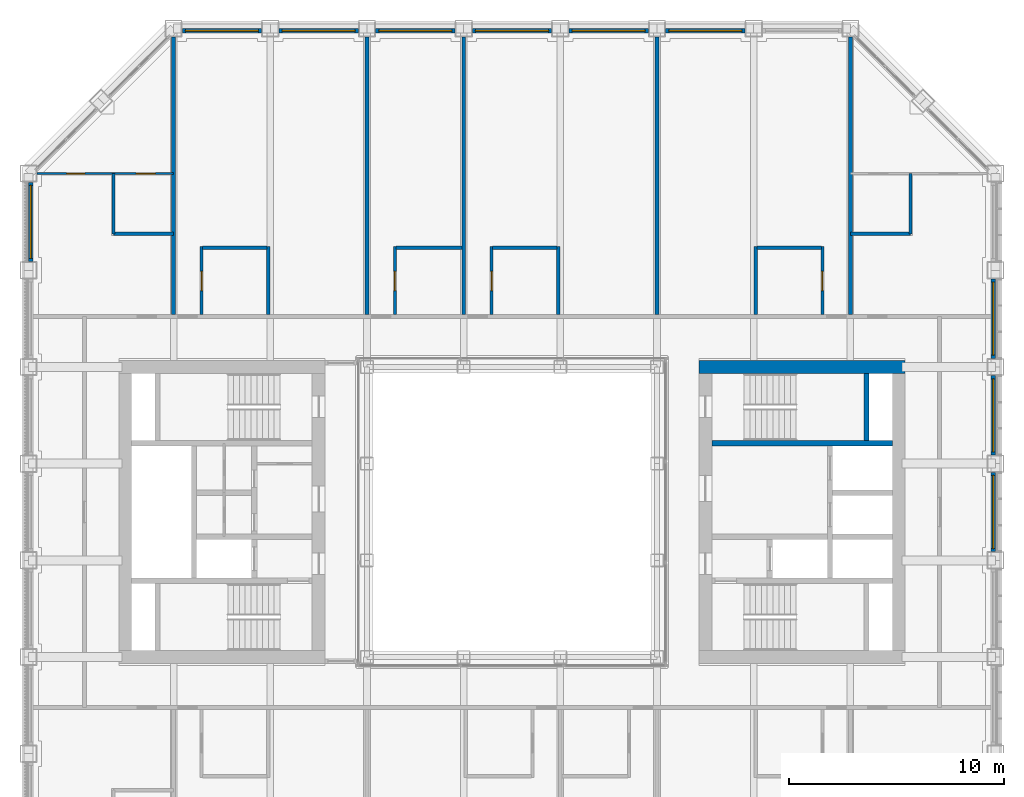
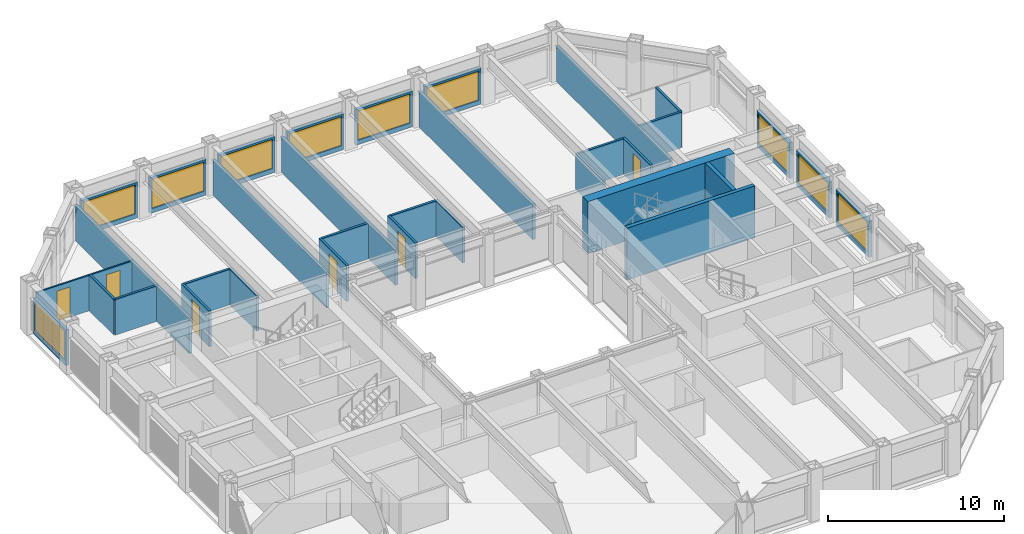
# One storey, part 13 of 17: 34 walls, 10 windows, 6 doors, 16 openings.
"""IFC4 building model written with IfcOpenShell, lengths in metres."""

from ifc_helpers import new_model, si_unit, direction, frame, frame_2d, origin, place, context, subcontext, project, spatial, rectangle, extrude, material, layer, layer_set, type_object, element, fill, save


model = new_model("IFC4")

# Units and contexts
model_context = context("Model", 3, precision=1e-05, world=origin(), true_north=direction((0.0, 1.0)))
body_context = subcontext(model_context, "Body", "Model", "MODEL_VIEW")
ifc_project = project(units=[si_unit("LENGTHUNIT", "METRE"), si_unit("AREAUNIT", "SQUARE_METRE"), si_unit("VOLUMEUNIT", "CUBIC_METRE"), si_unit("PLANEANGLEUNIT", "RADIAN"), si_unit("MASSUNIT", "GRAM", prefix="KILO")], contexts=[model_context])

# Site, building, storey
site_placement = place(None, origin())
site = spatial("IfcSite", under=ifc_project, at=site_placement, CompositionType="ELEMENT")
building_placement = place(site_placement, origin())
building = spatial("IfcBuilding", under=site, at=building_placement, Name="Msasa Ring Tower", CompositionType="ELEMENT")
storey_placement = place(building_placement, frame((0.0, 0.0, 165.199951171875)))
storey = spatial("IfcBuildingStorey", under=building, at=storey_placement, Name="L43", CompositionType="ELEMENT", Elevation=165.199951171875)

# Walls
ifc_material_1 = material(Name="Concrete C60/75", Category="concrete")
ifc_layer_1 = layer(ifc_material_1, 0.60009765625)
ifc_layer_set_1 = layer_set([ifc_layer_1], Name="CW2 CORE WALL 600")
wall_type_1 = type_object("IfcWallType", Name="CW2 CORE WALL 600", PredefinedType="SHEAR", material=ifc_layer_set_1)
wall_1_placement = place(storey_placement, frame((8.699951171875, 6.75, 0.0), z_axis=(0.0, 0.0, 1.0), x_axis=(1.0, 0.0, 0.0)))
element("IfcWall", 1, at=wall_1_placement, inside=storey, type_object=wall_type_1, Name="E core wall N L43", PredefinedType="SHEAR", context=body_context, shape_type="SweptSolid", body=[
    extrude(rectangle(XDim=9.60009765625, YDim=0.60009765625, at=frame_2d((4.800048828125, 0.0))), origin(), (0.0, 0.0, 1.0), 3.60009765625),
])
ifc_material_2 = material(Name="Concrete C60/75", Category="concrete")
ifc_layer_2 = layer(ifc_material_2, 0.25)
ifc_layer_set_2 = layer_set([ifc_layer_2], Name="CW4 CORE INNER WALL 250")
wall_type_2 = type_object("IfcWallType", Name="CW4 CORE INNER WALL 250", PredefinedType="SHEAR", material=ifc_layer_set_2)
wall_2_placement = place(storey_placement, frame((9.300048828125, 3.199951171875, 0.0), z_axis=(0.0, 0.0, 1.0), x_axis=(1.0, 0.0, 0.0)))
element("IfcWall", 2, at=wall_2_placement, inside=storey, type_object=wall_type_2, Name="E core wall STAIRB L43", PredefinedType="SHEAR", context=body_context, shape_type="SweptSolid", body=[
    extrude(rectangle(XDim=8.39990234375, YDim=0.25, at=frame_2d((4.199951171875, 0.0))), origin(), (0.0, 0.0, 1.0), 3.60009765625),
])
wall_3_placement = place(storey_placement, frame((16.5, 3.324951171875, 0.0), z_axis=(0.0, 0.0, 1.0), x_axis=(0.0, 1.0, 0.0)))
element("IfcWall", 3, at=wall_3_placement, inside=storey, type_object=wall_type_2, Name="E core wall RISERB L43", PredefinedType="SHEAR", context=body_context, shape_type="SweptSolid", body=[
    extrude(rectangle(XDim=3.125, YDim=0.25, at=frame_2d((1.5625, 0.0))), origin(), (0.0, 0.0, 1.0), 3.60009765625),
])

# Wall, opening, window
ifc_material_3 = material(Name="Terracotta rainscreen on blockwork", Category="masonry")
ifc_layer_3 = layer(ifc_material_3, 0.199951171875)
ifc_layer_set_3 = layer_set([ifc_layer_3], Name="FW1 TERRACOTTA-LINED INFILL BAY WALL 200")
wall_type_3 = type_object("IfcWallType", Name="FW1 TERRACOTTA-LINED INFILL BAY WALL 200", PredefinedType="SOLIDWALL", material=ifc_layer_set_3)
wall_4_placement = place(storey_placement, frame((22.39990234375, -1.844970703125, 0.0), z_axis=(0.0, 0.0, 1.0), x_axis=(0.0, 1.0, 0.0)))
wall_4 = element("IfcWall", 4, at=wall_4_placement, inside=storey, type_object=wall_type_3, Name="Infill bay wall E L43 12", PredefinedType="SOLIDWALL", context=body_context, shape_type="SweptSolid", body=[
    extrude(rectangle(XDim=3.68994140625, YDim=0.199951171875, at=frame_2d((1.844970703125, 0.0))), origin(), (0.0, 0.0, 1.0), 2.47900390625),
])
opening_1_placement = place(wall_4_placement, frame((0.14501953125, 0.0, 0.300048828125)))
opening_1 = element("IfcOpeningElement", 5, at=opening_1_placement, cuts=wall_4, Name="Opening WN2", PredefinedType="OPENING", context=body_context, shape_type="SweptSolid", body=[
    extrude(rectangle(XDim=3.39990234375, YDim=2.029052734375, at=frame_2d((1.699951171875, 1.0146484375))), frame((0.0, 0.10986328125, 0.0), z_axis=(0.0, -1.0, 0.0), x_axis=(1.0, 0.0, 0.0)), (0.0, 0.0, 1.0), 0.219970703125),
])
ifc_material_4 = material(Name="Aluminium frame with clear glass", Category="aluminium")
window_type = type_object("IfcWindowType", Name="WN2 GUEST ROOM WINDOW 3400x2029", PartitioningType="SINGLE_PANEL", PredefinedType="WINDOW", material=ifc_material_4)
window_1_placement = place(opening_1_placement, origin())
window_1 = element("IfcWindow", 6, at=window_1_placement, inside=storey, type_object=window_type, Name="Window E L43 12", OverallHeight=2.029052734375, OverallWidth=3.39990234375, PartitioningType="SINGLE_PANEL", PredefinedType="WINDOW", context=body_context, shape_type="SweptSolid", body=[
    extrude(rectangle(XDim=3.39990234375, YDim=2.029052734375, at=frame_2d((1.699951171875, 1.0146484375))), frame((0.0, 0.030029296875, 0.0), z_axis=(0.0, -1.0, 0.0), x_axis=(1.0, 0.0, 0.0)), (0.0, 0.0, 1.0), 0.06005859375),
])
fill(opening_1, window_1)

wall_5_placement = place(storey_placement, frame((22.39990234375, 2.655029296875, 0.0), z_axis=(0.0, 0.0, 1.0), x_axis=(0.0, 1.0, 0.0)))
wall_5 = element("IfcWall", 7, at=wall_5_placement, inside=storey, type_object=wall_type_3, Name="Infill bay wall E L43 13", PredefinedType="SOLIDWALL", context=body_context, shape_type="SweptSolid", body=[
    extrude(rectangle(XDim=3.68994140625, YDim=0.199951171875, at=frame_2d((1.844970703125, 0.0))), origin(), (0.0, 0.0, 1.0), 2.47900390625),
])
opening_2_placement = place(wall_5_placement, frame((0.14501953125, 0.0, 0.300048828125)))
opening_2 = element("IfcOpeningElement", 8, at=opening_2_placement, cuts=wall_5, Name="Opening WN2", PredefinedType="OPENING", context=body_context, shape_type="SweptSolid", body=[
    extrude(rectangle(XDim=3.39990234375, YDim=2.029052734375, at=frame_2d((1.699951171875, 1.0146484375))), frame((0.0, 0.10986328125, 0.0), z_axis=(0.0, -1.0, 0.0), x_axis=(1.0, 0.0, 0.0)), (0.0, 0.0, 1.0), 0.219970703125),
])
window_2_placement = place(opening_2_placement, origin())
window_2 = element("IfcWindow", 9, at=window_2_placement, inside=storey, type_object=window_type, Name="Window E L43 13", OverallHeight=2.029052734375, OverallWidth=3.39990234375, PartitioningType="SINGLE_PANEL", PredefinedType="WINDOW", context=body_context, shape_type="SweptSolid", body=[
    extrude(rectangle(XDim=3.39990234375, YDim=2.029052734375, at=frame_2d((1.699951171875, 1.0146484375))), frame((0.0, 0.030029296875, 0.0), z_axis=(0.0, -1.0, 0.0), x_axis=(1.0, 0.0, 0.0)), (0.0, 0.0, 1.0), 0.06005859375),
])
fill(opening_2, window_2)

wall_6_placement = place(storey_placement, frame((22.39990234375, 7.155029296875, 0.0), z_axis=(0.0, 0.0, 1.0), x_axis=(0.0, 1.0, 0.0)))
wall_6 = element("IfcWall", 10, at=wall_6_placement, inside=storey, type_object=wall_type_3, Name="Infill bay wall E L43 14", PredefinedType="SOLIDWALL", context=body_context, shape_type="SweptSolid", body=[
    extrude(rectangle(XDim=3.68994140625, YDim=0.199951171875, at=frame_2d((1.844970703125, 0.0))), origin(), (0.0, 0.0, 1.0), 2.47900390625),
])
opening_3_placement = place(wall_6_placement, frame((0.14501953125, 0.0, 0.300048828125)))
opening_3 = element("IfcOpeningElement", 11, at=opening_3_placement, cuts=wall_6, Name="Opening WN2", PredefinedType="OPENING", context=body_context, shape_type="SweptSolid", body=[
    extrude(rectangle(XDim=3.39990234375, YDim=2.029052734375, at=frame_2d((1.699951171875, 1.0146484375))), frame((0.0, 0.10986328125, 0.0), z_axis=(0.0, -1.0, 0.0), x_axis=(1.0, 0.0, 0.0)), (0.0, 0.0, 1.0), 0.219970703125),
])
window_3_placement = place(opening_3_placement, origin())
window_3 = element("IfcWindow", 12, at=window_3_placement, inside=storey, type_object=window_type, Name="Window E L43 14", OverallHeight=2.029052734375, OverallWidth=3.39990234375, PartitioningType="SINGLE_PANEL", PredefinedType="WINDOW", context=body_context, shape_type="SweptSolid", body=[
    extrude(rectangle(XDim=3.39990234375, YDim=2.029052734375, at=frame_2d((1.699951171875, 1.0146484375))), frame((0.0, 0.030029296875, 0.0), z_axis=(0.0, -1.0, 0.0), x_axis=(1.0, 0.0, 0.0)), (0.0, 0.0, 1.0), 0.06005859375),
])
fill(opening_3, window_3)

wall_7_placement = place(storey_placement, frame((-15.344970703125, 22.39990234375, 0.0), z_axis=(0.0, 0.0, 1.0), x_axis=(1.0, 0.0, 0.0)))
wall_7 = element("IfcWall", 13, at=wall_7_placement, inside=storey, type_object=wall_type_3, Name="Infill bay wall N L43 18", PredefinedType="SOLIDWALL", context=body_context, shape_type="SweptSolid", body=[
    extrude(rectangle(XDim=3.68994140625, YDim=0.199951171875, at=frame_2d((1.844970703125, 0.0))), origin(), (0.0, 0.0, 1.0), 2.47900390625),
])
opening_4_placement = place(wall_7_placement, frame((0.14501953125, 0.0, 0.300048828125)))
opening_4 = element("IfcOpeningElement", 14, at=opening_4_placement, cuts=wall_7, Name="Opening WN2", PredefinedType="OPENING", context=body_context, shape_type="SweptSolid", body=[
    extrude(rectangle(XDim=3.39990234375, YDim=2.029052734375, at=frame_2d((1.699951171875, 1.0146484375))), frame((0.0, 0.10986328125, 0.0), z_axis=(0.0, -1.0, 0.0), x_axis=(1.0, 0.0, 0.0)), (0.0, 0.0, 1.0), 0.219970703125),
])
window_4_placement = place(opening_4_placement, origin())
window_4 = element("IfcWindow", 15, at=window_4_placement, inside=storey, type_object=window_type, Name="Window N L43 18", OverallHeight=2.029052734375, OverallWidth=3.39990234375, PartitioningType="SINGLE_PANEL", PredefinedType="WINDOW", context=body_context, shape_type="SweptSolid", body=[
    extrude(rectangle(XDim=3.39990234375, YDim=2.029052734375, at=frame_2d((1.699951171875, 1.0146484375))), frame((0.0, 0.030029296875, 0.0), z_axis=(0.0, -1.0, 0.0), x_axis=(1.0, 0.0, 0.0)), (0.0, 0.0, 1.0), 0.06005859375),
])
fill(opening_4, window_4)

wall_8_placement = place(storey_placement, frame((-10.844970703125, 22.39990234375, 0.0), z_axis=(0.0, 0.0, 1.0), x_axis=(1.0, 0.0, 0.0)))
wall_8 = element("IfcWall", 16, at=wall_8_placement, inside=storey, type_object=wall_type_3, Name="Infill bay wall N L43 19", PredefinedType="SOLIDWALL", context=body_context, shape_type="SweptSolid", body=[
    extrude(rectangle(XDim=3.68994140625, YDim=0.199951171875, at=frame_2d((1.844970703125, 0.0))), origin(), (0.0, 0.0, 1.0), 2.47900390625),
])
opening_5_placement = place(wall_8_placement, frame((0.14501953125, 0.0, 0.300048828125)))
opening_5 = element("IfcOpeningElement", 17, at=opening_5_placement, cuts=wall_8, Name="Opening WN2", PredefinedType="OPENING", context=body_context, shape_type="SweptSolid", body=[
    extrude(rectangle(XDim=3.39990234375, YDim=2.029052734375, at=frame_2d((1.699951171875, 1.0146484375))), frame((0.0, 0.10986328125, 0.0), z_axis=(0.0, -1.0, 0.0), x_axis=(1.0, 0.0, 0.0)), (0.0, 0.0, 1.0), 0.219970703125),
])
window_5_placement = place(opening_5_placement, origin())
window_5 = element("IfcWindow", 18, at=window_5_placement, inside=storey, type_object=window_type, Name="Window N L43 19", OverallHeight=2.029052734375, OverallWidth=3.39990234375, PartitioningType="SINGLE_PANEL", PredefinedType="WINDOW", context=body_context, shape_type="SweptSolid", body=[
    extrude(rectangle(XDim=3.39990234375, YDim=2.029052734375, at=frame_2d((1.699951171875, 1.0146484375))), frame((0.0, 0.030029296875, 0.0), z_axis=(0.0, -1.0, 0.0), x_axis=(1.0, 0.0, 0.0)), (0.0, 0.0, 1.0), 0.06005859375),
])
fill(opening_5, window_5)

wall_9_placement = place(storey_placement, frame((-6.344970703125, 22.39990234375, 0.0), z_axis=(0.0, 0.0, 1.0), x_axis=(1.0, 0.0, 0.0)))
wall_9 = element("IfcWall", 19, at=wall_9_placement, inside=storey, type_object=wall_type_3, Name="Infill bay wall N L43 20", PredefinedType="SOLIDWALL", context=body_context, shape_type="SweptSolid", body=[
    extrude(rectangle(XDim=3.68994140625, YDim=0.199951171875, at=frame_2d((1.844970703125, 0.0))), origin(), (0.0, 0.0, 1.0), 2.47900390625),
])
opening_6_placement = place(wall_9_placement, frame((0.14501953125, 0.0, 0.300048828125)))
opening_6 = element("IfcOpeningElement", 20, at=opening_6_placement, cuts=wall_9, Name="Opening WN2", PredefinedType="OPENING", context=body_context, shape_type="SweptSolid", body=[
    extrude(rectangle(XDim=3.39990234375, YDim=2.029052734375, at=frame_2d((1.699951171875, 1.0146484375))), frame((0.0, 0.10986328125, 0.0), z_axis=(0.0, -1.0, 0.0), x_axis=(1.0, 0.0, 0.0)), (0.0, 0.0, 1.0), 0.219970703125),
])
window_6_placement = place(opening_6_placement, origin())
window_6 = element("IfcWindow", 21, at=window_6_placement, inside=storey, type_object=window_type, Name="Window N L43 20", OverallHeight=2.029052734375, OverallWidth=3.39990234375, PartitioningType="SINGLE_PANEL", PredefinedType="WINDOW", context=body_context, shape_type="SweptSolid", body=[
    extrude(rectangle(XDim=3.39990234375, YDim=2.029052734375, at=frame_2d((1.699951171875, 1.0146484375))), frame((0.0, 0.030029296875, 0.0), z_axis=(0.0, -1.0, 0.0), x_axis=(1.0, 0.0, 0.0)), (0.0, 0.0, 1.0), 0.06005859375),
])
fill(opening_6, window_6)

wall_10_placement = place(storey_placement, frame((-1.844970703125, 22.39990234375, 0.0), z_axis=(0.0, 0.0, 1.0), x_axis=(1.0, 0.0, 0.0)))
wall_10 = element("IfcWall", 22, at=wall_10_placement, inside=storey, type_object=wall_type_3, Name="Infill bay wall N L43 21", PredefinedType="SOLIDWALL", context=body_context, shape_type="SweptSolid", body=[
    extrude(rectangle(XDim=3.68994140625, YDim=0.199951171875, at=frame_2d((1.844970703125, 0.0))), origin(), (0.0, 0.0, 1.0), 2.47900390625),
])
opening_7_placement = place(wall_10_placement, frame((0.14501953125, 0.0, 0.300048828125)))
opening_7 = element("IfcOpeningElement", 23, at=opening_7_placement, cuts=wall_10, Name="Opening WN2", PredefinedType="OPENING", context=body_context, shape_type="SweptSolid", body=[
    extrude(rectangle(XDim=3.39990234375, YDim=2.029052734375, at=frame_2d((1.699951171875, 1.0146484375))), frame((0.0, 0.10986328125, 0.0), z_axis=(0.0, -1.0, 0.0), x_axis=(1.0, 0.0, 0.0)), (0.0, 0.0, 1.0), 0.219970703125),
])
window_7_placement = place(opening_7_placement, origin())
window_7 = element("IfcWindow", 24, at=window_7_placement, inside=storey, type_object=window_type, Name="Window N L43 21", OverallHeight=2.029052734375, OverallWidth=3.39990234375, PartitioningType="SINGLE_PANEL", PredefinedType="WINDOW", context=body_context, shape_type="SweptSolid", body=[
    extrude(rectangle(XDim=3.39990234375, YDim=2.029052734375, at=frame_2d((1.699951171875, 1.0146484375))), frame((0.0, 0.030029296875, 0.0), z_axis=(0.0, -1.0, 0.0), x_axis=(1.0, 0.0, 0.0)), (0.0, 0.0, 1.0), 0.06005859375),
])
fill(opening_7, window_7)

wall_11_placement = place(storey_placement, frame((2.655029296875, 22.39990234375, 0.0), z_axis=(0.0, 0.0, 1.0), x_axis=(1.0, 0.0, 0.0)))
wall_11 = element("IfcWall", 25, at=wall_11_placement, inside=storey, type_object=wall_type_3, Name="Infill bay wall N L43 22", PredefinedType="SOLIDWALL", context=body_context, shape_type="SweptSolid", body=[
    extrude(rectangle(XDim=3.68994140625, YDim=0.199951171875, at=frame_2d((1.844970703125, 0.0))), origin(), (0.0, 0.0, 1.0), 2.47900390625),
])
opening_8_placement = place(wall_11_placement, frame((0.14501953125, 0.0, 0.300048828125)))
opening_8 = element("IfcOpeningElement", 26, at=opening_8_placement, cuts=wall_11, Name="Opening WN2", PredefinedType="OPENING", context=body_context, shape_type="SweptSolid", body=[
    extrude(rectangle(XDim=3.39990234375, YDim=2.029052734375, at=frame_2d((1.699951171875, 1.0146484375))), frame((0.0, 0.10986328125, 0.0), z_axis=(0.0, -1.0, 0.0), x_axis=(1.0, 0.0, 0.0)), (0.0, 0.0, 1.0), 0.219970703125),
])
window_8_placement = place(opening_8_placement, origin())
window_8 = element("IfcWindow", 27, at=window_8_placement, inside=storey, type_object=window_type, Name="Window N L43 22", OverallHeight=2.029052734375, OverallWidth=3.39990234375, PartitioningType="SINGLE_PANEL", PredefinedType="WINDOW", context=body_context, shape_type="SweptSolid", body=[
    extrude(rectangle(XDim=3.39990234375, YDim=2.029052734375, at=frame_2d((1.699951171875, 1.0146484375))), frame((0.0, 0.030029296875, 0.0), z_axis=(0.0, -1.0, 0.0), x_axis=(1.0, 0.0, 0.0)), (0.0, 0.0, 1.0), 0.06005859375),
])
fill(opening_8, window_8)

wall_12_placement = place(storey_placement, frame((7.155029296875, 22.39990234375, 0.0), z_axis=(0.0, 0.0, 1.0), x_axis=(1.0, 0.0, 0.0)))
wall_12 = element("IfcWall", 28, at=wall_12_placement, inside=storey, type_object=wall_type_3, Name="Infill bay wall N L43 23", PredefinedType="SOLIDWALL", context=body_context, shape_type="SweptSolid", body=[
    extrude(rectangle(XDim=3.68994140625, YDim=0.199951171875, at=frame_2d((1.844970703125, 0.0))), origin(), (0.0, 0.0, 1.0), 2.47900390625),
])
opening_9_placement = place(wall_12_placement, frame((0.14501953125, 0.0, 0.300048828125)))
opening_9 = element("IfcOpeningElement", 29, at=opening_9_placement, cuts=wall_12, Name="Opening WN2", PredefinedType="OPENING", context=body_context, shape_type="SweptSolid", body=[
    extrude(rectangle(XDim=3.39990234375, YDim=2.029052734375, at=frame_2d((1.699951171875, 1.0146484375))), frame((0.0, 0.10986328125, 0.0), z_axis=(0.0, -1.0, 0.0), x_axis=(1.0, 0.0, 0.0)), (0.0, 0.0, 1.0), 0.219970703125),
])
window_9_placement = place(opening_9_placement, origin())
window_9 = element("IfcWindow", 30, at=window_9_placement, inside=storey, type_object=window_type, Name="Window N L43 23", OverallHeight=2.029052734375, OverallWidth=3.39990234375, PartitioningType="SINGLE_PANEL", PredefinedType="WINDOW", context=body_context, shape_type="SweptSolid", body=[
    extrude(rectangle(XDim=3.39990234375, YDim=2.029052734375, at=frame_2d((1.699951171875, 1.0146484375))), frame((0.0, 0.030029296875, 0.0), z_axis=(0.0, -1.0, 0.0), x_axis=(1.0, 0.0, 0.0)), (0.0, 0.0, 1.0), 0.06005859375),
])
fill(opening_9, window_9)

wall_13_placement = place(storey_placement, frame((-22.39990234375, 11.655029296875, 0.0), z_axis=(0.0, 0.0, 1.0), x_axis=(0.0, 1.0, 0.0)))
wall_13 = element("IfcWall", 31, at=wall_13_placement, inside=storey, type_object=wall_type_3, Name="Infill bay wall W L43 33", PredefinedType="SOLIDWALL", context=body_context, shape_type="SweptSolid", body=[
    extrude(rectangle(XDim=3.68994140625, YDim=0.199951171875, at=frame_2d((1.844970703125, 0.0))), origin(), (0.0, 0.0, 1.0), 2.47900390625),
])
opening_10_placement = place(wall_13_placement, frame((0.14501953125, 0.0, 0.300048828125)))
opening_10 = element("IfcOpeningElement", 32, at=opening_10_placement, cuts=wall_13, Name="Opening WN2", PredefinedType="OPENING", context=body_context, shape_type="SweptSolid", body=[
    extrude(rectangle(XDim=3.39990234375, YDim=2.029052734375, at=frame_2d((1.699951171875, 1.0146484375))), frame((0.0, 0.10986328125, 0.0), z_axis=(0.0, -1.0, 0.0), x_axis=(1.0, 0.0, 0.0)), (0.0, 0.0, 1.0), 0.219970703125),
])
window_10_placement = place(opening_10_placement, origin())
window_10 = element("IfcWindow", 33, at=window_10_placement, inside=storey, type_object=window_type, Name="Window W L43 33", OverallHeight=2.029052734375, OverallWidth=3.39990234375, PartitioningType="SINGLE_PANEL", PredefinedType="WINDOW", context=body_context, shape_type="SweptSolid", body=[
    extrude(rectangle(XDim=3.39990234375, YDim=2.029052734375, at=frame_2d((1.699951171875, 1.0146484375))), frame((0.0, 0.030029296875, 0.0), z_axis=(0.0, -1.0, 0.0), x_axis=(1.0, 0.0, 0.0)), (0.0, 0.0, 1.0), 0.06005859375),
])
fill(opening_10, window_10)

# Wall, openings, doors
ifc_material_5 = material(Name="Gypsum board on steel studs", Category="steel")
ifc_layer_4 = layer(ifc_material_5, 0.10009765625)
ifc_layer_set_4 = layer_set([ifc_layer_4], Name="PT2 STUD PARTITION 100")
wall_type_4 = type_object("IfcWallType", Name="PT2 STUD PARTITION 100", PredefinedType="PARTITIONING", material=ifc_layer_set_4)
wall_14_placement = place(storey_placement, frame((-22.10009765625, 15.75, 0.0), z_axis=(0.0, 0.0, 1.0), x_axis=(1.0, 0.0, 0.0)))
wall_14 = element("IfcWall", 34, at=wall_14_placement, inside=storey, type_object=wall_type_4, Name="Partition L43-CSNWX", PredefinedType="PARTITIONING", context=body_context, shape_type="SweptSolid", body=[
    extrude(rectangle(XDim=6.35009765625, YDim=0.10009765625, at=frame_2d((3.175048828125, 0.0))), origin(), (0.0, 0.0, 1.0), 2.473388671875),
])
opening_11_placement = place(wall_14_placement, frame((1.375, 0.0, 0.0)))
opening_11 = element("IfcOpeningElement", 35, at=opening_11_placement, cuts=wall_14, Name="Opening HE-001", PredefinedType="OPENING", context=body_context, shape_type="SweptSolid", body=[
    extrude(rectangle(XDim=0.85009765625, YDim=2.10009765625, at=frame_2d((0.425048828125, 1.050048828125))), frame((0.0, 0.06005859375, 0.0), z_axis=(0.0, -1.0, 0.0), x_axis=(1.0, 0.0, 0.0)), (0.0, 0.0, 1.0), 0.1201171875),
])
opening_12_placement = place(wall_14_placement, frame((4.60009765625, 0.0, 0.0)))
opening_12 = element("IfcOpeningElement", 36, at=opening_12_placement, cuts=wall_14, Name="Opening HE-002", PredefinedType="OPENING", context=body_context, shape_type="SweptSolid", body=[
    extrude(rectangle(XDim=0.89990234375, YDim=2.10009765625, at=frame_2d((0.449951171875, 1.050048828125))), frame((0.0, 0.06005859375, 0.0), z_axis=(0.0, -1.0, 0.0), x_axis=(1.0, 0.0, 0.0)), (0.0, 0.0, 1.0), 0.1201171875),
])
ifc_material_6 = material(Name="Timber door leaf in a steel frame", Category="steel")
door_type_1 = type_object("IfcDoorType", Name="D14 BEDROOM DOOR 850x2100", OperationType="SINGLE_SWING_LEFT", PredefinedType="DOOR", material=ifc_material_6)
door_1_placement = place(opening_11_placement, origin())
door_1 = element("IfcDoor", 37, at=door_1_placement, inside=storey, type_object=door_type_1, Name="Door L43-CSNWR1", OperationType="SINGLE_SWING_LEFT", OverallHeight=2.10009765625, OverallWidth=0.85009765625, PredefinedType="DOOR", context=body_context, shape_type="SweptSolid", body=[
    extrude(rectangle(XDim=0.85009765625, YDim=2.10009765625, at=frame_2d((0.425048828125, 1.050048828125))), frame((0.0, 0.02490234375, 0.0), z_axis=(0.0, -1.0, 0.0), x_axis=(1.0, 0.0, 0.0)), (0.0, 0.0, 1.0), 0.050048828125),
])
fill(opening_11, door_1)
ifc_material_7 = material(Name="Timber door leaf in a steel frame", Category="steel")
door_type_2 = type_object("IfcDoorType", Name="D3 BATHROOM DOOR 900x2100", OperationType="SINGLE_SWING_LEFT", PredefinedType="DOOR", material=ifc_material_7)
door_2_placement = place(opening_12_placement, origin())
door_2 = element("IfcDoor", 38, at=door_2_placement, inside=storey, type_object=door_type_2, Name="Door L43-CSNWB1", OperationType="SINGLE_SWING_RIGHT", OverallHeight=2.10009765625, OverallWidth=0.89990234375, PredefinedType="DOOR", context=body_context, shape_type="SweptSolid", body=[
    extrude(rectangle(XDim=0.89990234375, YDim=2.10009765625, at=frame_2d((0.449951171875, 1.050048828125))), frame((0.0, 0.02490234375, 0.0), z_axis=(0.0, -1.0, 0.0), x_axis=(1.0, 0.0, 0.0)), (0.0, 0.0, 1.0), 0.050048828125),
])
fill(opening_12, door_2)

# Wall, opening, door
ifc_material_8 = material(Name="Moisture-resistant board on steel studs with a concealed cistern and pipe void, tiled", Category="steel")
ifc_layer_5 = layer(ifc_material_8, 0.14990234375)
ifc_layer_set_5 = layer_set([ifc_layer_5], Name="PT4 BATHROOM WET WALL 150")
wall_type_5 = type_object("IfcWallType", Name="PT4 BATHROOM WET WALL 150", PredefinedType="PARTITIONING", material=ifc_layer_set_5)
wall_15_placement = place(storey_placement, frame((-14.449951171875, 9.199951171875, 0.0), z_axis=(0.0, 0.0, 1.0), x_axis=(0.0, 1.0, 0.0)))
wall_15 = element("IfcWall", 39, at=wall_15_placement, inside=storey, type_object=wall_type_5, Name="Partition L43-GN00BX", PredefinedType="PARTITIONING", context=body_context, shape_type="SweptSolid", body=[
    extrude(rectangle(XDim=3.150146484375, YDim=0.14990234375, at=frame_2d((1.5751953125, 0.0))), origin(), (0.0, 0.0, 1.0), 2.473388671875),
])
opening_13_placement = place(wall_15_placement, frame((1.10009765625, 0.0, 0.0)))
opening_13 = element("IfcOpeningElement", 40, at=opening_13_placement, cuts=wall_15, Name="Opening HE-005", PredefinedType="OPENING", context=body_context, shape_type="SweptSolid", body=[
    extrude(rectangle(XDim=0.89990234375, YDim=2.10009765625, at=frame_2d((0.449951171875, 1.050048828125))), frame((0.0, 0.0849609375, 0.0), z_axis=(0.0, -1.0, 0.0), x_axis=(1.0, 0.0, 0.0)), (0.0, 0.0, 1.0), 0.169921875),
])
door_3_placement = place(opening_13_placement, origin())
door_3 = element("IfcDoor", 41, at=door_3_placement, inside=storey, type_object=door_type_2, Name="Door L43-GN00B", OperationType="SINGLE_SWING_LEFT", OverallHeight=2.10009765625, OverallWidth=0.89990234375, PredefinedType="DOOR", context=body_context, shape_type="SweptSolid", body=[
    extrude(rectangle(XDim=0.89990234375, YDim=2.10009765625, at=frame_2d((0.449951171875, 1.050048828125))), frame((0.0, 0.02490234375, 0.0), z_axis=(0.0, -1.0, 0.0), x_axis=(1.0, 0.0, 0.0)), (0.0, 0.0, 1.0), 0.050048828125),
])
fill(opening_13, door_3)

# Walls
wall_16_placement = place(storey_placement, frame((-11.35009765625, 9.199951171875, 0.0), z_axis=(0.0, 0.0, 1.0), x_axis=(0.0, 1.0, 0.0)))
element("IfcWall", 42, at=wall_16_placement, inside=storey, type_object=wall_type_5, Name="Partition L43-GN00BF", PredefinedType="PARTITIONING", context=body_context, shape_type="SweptSolid", body=[
    extrude(rectangle(XDim=3.150146484375, YDim=0.14990234375, at=frame_2d((1.5751953125, 0.0))), origin(), (0.0, 0.0, 1.0), 2.473388671875),
])
wall_17_placement = place(storey_placement, frame((-14.39990234375, 12.300048828125, 0.0), z_axis=(0.0, 0.0, 1.0), x_axis=(1.0, 0.0, 0.0)))
element("IfcWall", 43, at=wall_17_placement, inside=storey, type_object=wall_type_5, Name="Partition L43-GN00BY", PredefinedType="PARTITIONING", context=body_context, shape_type="SweptSolid", body=[
    extrude(rectangle(XDim=3.0, YDim=0.14990234375, at=frame_2d((1.5, 0.0))), origin(), (0.0, 0.0, 1.0), 2.473388671875),
])

# Wall, opening, door
wall_18_placement = place(storey_placement, frame((-5.449951171875, 9.199951171875, 0.0), z_axis=(0.0, 0.0, 1.0), x_axis=(0.0, 1.0, 0.0)))
wall_18 = element("IfcWall", 44, at=wall_18_placement, inside=storey, type_object=wall_type_5, Name="Partition L43-GN01BX", PredefinedType="PARTITIONING", context=body_context, shape_type="SweptSolid", body=[
    extrude(rectangle(XDim=3.150146484375, YDim=0.14990234375, at=frame_2d((1.5751953125, 0.0))), origin(), (0.0, 0.0, 1.0), 2.473388671875),
])
opening_14_placement = place(wall_18_placement, frame((1.10009765625, 0.0, 0.0)))
opening_14 = element("IfcOpeningElement", 45, at=opening_14_placement, cuts=wall_18, Name="Opening HE-006", PredefinedType="OPENING", context=body_context, shape_type="SweptSolid", body=[
    extrude(rectangle(XDim=0.89990234375, YDim=2.10009765625, at=frame_2d((0.449951171875, 1.050048828125))), frame((0.0, 0.0849609375, 0.0), z_axis=(0.0, -1.0, 0.0), x_axis=(1.0, 0.0, 0.0)), (0.0, 0.0, 1.0), 0.169921875),
])
door_4_placement = place(opening_14_placement, origin())
door_4 = element("IfcDoor", 46, at=door_4_placement, inside=storey, type_object=door_type_2, Name="Door L43-GN01B", OperationType="SINGLE_SWING_LEFT", OverallHeight=2.10009765625, OverallWidth=0.89990234375, PredefinedType="DOOR", context=body_context, shape_type="SweptSolid", body=[
    extrude(rectangle(XDim=0.89990234375, YDim=2.10009765625, at=frame_2d((0.449951171875, 1.050048828125))), frame((0.0, 0.02490234375, 0.0), z_axis=(0.0, -1.0, 0.0), x_axis=(1.0, 0.0, 0.0)), (0.0, 0.0, 1.0), 0.050048828125),
])
fill(opening_14, door_4)

# Wall
wall_19_placement = place(storey_placement, frame((-5.39990234375, 12.300048828125, 0.0), z_axis=(0.0, 0.0, 1.0), x_axis=(1.0, 0.0, 0.0)))
element("IfcWall", 47, at=wall_19_placement, inside=storey, type_object=wall_type_5, Name="Partition L43-GN01BY", PredefinedType="PARTITIONING", context=body_context, shape_type="SweptSolid", body=[
    extrude(rectangle(XDim=3.0625, YDim=0.14990234375, at=frame_2d((1.53125, 0.0))), origin(), (0.0, 0.0, 1.0), 2.473388671875),
])

# Wall, opening, door
wall_20_placement = place(storey_placement, frame((-0.949951171875, 9.199951171875, 0.0), z_axis=(0.0, 0.0, 1.0), x_axis=(0.0, 1.0, 0.0)))
wall_20 = element("IfcWall", 48, at=wall_20_placement, inside=storey, type_object=wall_type_5, Name="Partition L43-GN02BX", PredefinedType="PARTITIONING", context=body_context, shape_type="SweptSolid", body=[
    extrude(rectangle(XDim=3.150146484375, YDim=0.14990234375, at=frame_2d((1.5751953125, 0.0))), origin(), (0.0, 0.0, 1.0), 2.473388671875),
])
opening_15_placement = place(wall_20_placement, frame((1.10009765625, 0.0, 0.0)))
opening_15 = element("IfcOpeningElement", 49, at=opening_15_placement, cuts=wall_20, Name="Opening HE-007", PredefinedType="OPENING", context=body_context, shape_type="SweptSolid", body=[
    extrude(rectangle(XDim=0.89990234375, YDim=2.10009765625, at=frame_2d((0.449951171875, 1.050048828125))), frame((0.0, 0.0849609375, 0.0), z_axis=(0.0, -1.0, 0.0), x_axis=(1.0, 0.0, 0.0)), (0.0, 0.0, 1.0), 0.169921875),
])
door_5_placement = place(opening_15_placement, origin())
door_5 = element("IfcDoor", 50, at=door_5_placement, inside=storey, type_object=door_type_2, Name="Door L43-GN02B", OperationType="SINGLE_SWING_LEFT", OverallHeight=2.10009765625, OverallWidth=0.89990234375, PredefinedType="DOOR", context=body_context, shape_type="SweptSolid", body=[
    extrude(rectangle(XDim=0.89990234375, YDim=2.10009765625, at=frame_2d((0.449951171875, 1.050048828125))), frame((0.0, 0.02490234375, 0.0), z_axis=(0.0, -1.0, 0.0), x_axis=(1.0, 0.0, 0.0)), (0.0, 0.0, 1.0), 0.050048828125),
])
fill(opening_15, door_5)

# Walls
wall_21_placement = place(storey_placement, frame((2.14990234375, 9.199951171875, 0.0), z_axis=(0.0, 0.0, 1.0), x_axis=(0.0, 1.0, 0.0)))
element("IfcWall", 51, at=wall_21_placement, inside=storey, type_object=wall_type_5, Name="Partition L43-GN02BF", PredefinedType="PARTITIONING", context=body_context, shape_type="SweptSolid", body=[
    extrude(rectangle(XDim=3.150146484375, YDim=0.14990234375, at=frame_2d((1.5751953125, 0.0))), origin(), (0.0, 0.0, 1.0), 2.473388671875),
])
wall_22_placement = place(storey_placement, frame((-0.89990234375, 12.300048828125, 0.0), z_axis=(0.0, 0.0, 1.0), x_axis=(1.0, 0.0, 0.0)))
element("IfcWall", 52, at=wall_22_placement, inside=storey, type_object=wall_type_5, Name="Partition L43-GN02BY", PredefinedType="PARTITIONING", context=body_context, shape_type="SweptSolid", body=[
    extrude(rectangle(XDim=3.0, YDim=0.14990234375, at=frame_2d((1.5, 0.0))), origin(), (0.0, 0.0, 1.0), 2.473388671875),
])

# Wall, opening, door
wall_23_placement = place(storey_placement, frame((14.449951171875, 9.199951171875, 0.0), z_axis=(0.0, 0.0, 1.0), x_axis=(0.0, 1.0, 0.0)))
wall_23 = element("IfcWall", 53, at=wall_23_placement, inside=storey, type_object=wall_type_5, Name="Partition L43-GN03BX", PredefinedType="PARTITIONING", context=body_context, shape_type="SweptSolid", body=[
    extrude(rectangle(XDim=3.150146484375, YDim=0.14990234375, at=frame_2d((1.5751953125, 0.0))), origin(), (0.0, 0.0, 1.0), 2.473388671875),
])
opening_16_placement = place(wall_23_placement, frame((1.10009765625, 0.0, 0.0)))
opening_16 = element("IfcOpeningElement", 54, at=opening_16_placement, cuts=wall_23, Name="Opening HE-008", PredefinedType="OPENING", context=body_context, shape_type="SweptSolid", body=[
    extrude(rectangle(XDim=0.89990234375, YDim=2.10009765625, at=frame_2d((0.449951171875, 1.050048828125))), frame((0.0, 0.0849609375, 0.0), z_axis=(0.0, -1.0, 0.0), x_axis=(1.0, 0.0, 0.0)), (0.0, 0.0, 1.0), 0.169921875),
])
door_6_placement = place(opening_16_placement, origin())
door_6 = element("IfcDoor", 55, at=door_6_placement, inside=storey, type_object=door_type_2, Name="Door L43-GN03B", OperationType="SINGLE_SWING_LEFT", OverallHeight=2.10009765625, OverallWidth=0.89990234375, PredefinedType="DOOR", context=body_context, shape_type="SweptSolid", body=[
    extrude(rectangle(XDim=0.89990234375, YDim=2.10009765625, at=frame_2d((0.449951171875, 1.050048828125))), frame((0.0, 0.02490234375, 0.0), z_axis=(0.0, -1.0, 0.0), x_axis=(1.0, 0.0, 0.0)), (0.0, 0.0, 1.0), 0.050048828125),
])
fill(opening_16, door_6)

# Walls
wall_24_placement = place(storey_placement, frame((11.35009765625, 9.199951171875, 0.0), z_axis=(0.0, 0.0, 1.0), x_axis=(0.0, 1.0, 0.0)))
element("IfcWall", 56, at=wall_24_placement, inside=storey, type_object=wall_type_5, Name="Partition L43-GN03BF", PredefinedType="PARTITIONING", context=body_context, shape_type="SweptSolid", body=[
    extrude(rectangle(XDim=3.150146484375, YDim=0.14990234375, at=frame_2d((1.5751953125, 0.0))), origin(), (0.0, 0.0, 1.0), 2.473388671875),
])
wall_25_placement = place(storey_placement, frame((11.39990234375, 12.300048828125, 0.0), z_axis=(0.0, 0.0, 1.0), x_axis=(1.0, 0.0, 0.0)))
element("IfcWall", 57, at=wall_25_placement, inside=storey, type_object=wall_type_5, Name="Partition L43-GN03BY", PredefinedType="PARTITIONING", context=body_context, shape_type="SweptSolid", body=[
    extrude(rectangle(XDim=3.0, YDim=0.14990234375, at=frame_2d((1.5, 0.0))), origin(), (0.0, 0.0, 1.0), 2.473388671875),
])
for number, where, z_axis, x_axis, name in (
    (58, (18.550048828125, 12.949951171875, 0.0), (0.0, 0.0, 1.0), (0.0, 1.0, 0.0), "Partition L43-CSNEBX"),
    (59, (15.75, 12.949951171875, 0.0), (0.0, 0.0, 1.0), (1.0, 0.0, 0.0), "Partition L43-CSNEBY"),
    (60, (-18.550048828125, 12.949951171875, 0.0), (0.0, 0.0, 1.0), (0.0, 1.0, 0.0), "Partition L43-CSNWBX"),
    (61, (-18.550048828125, 12.949951171875, 0.0), (0.0, 0.0, 1.0), (1.0, 0.0, 0.0), "Partition L43-CSNWBY"),
):
    element("IfcWall", number, at=place(storey_placement, frame(where, z_axis=z_axis, x_axis=x_axis)), inside=storey, type_object=wall_type_5, Name=name, PredefinedType="PARTITIONING", context=body_context, shape_type="SweptSolid", body=[
        extrude(rectangle(XDim=2.800048828125, YDim=0.14990234375, at=frame_2d((1.39990234375, 0.0))), origin(), (0.0, 0.0, 1.0), 2.473388671875),
    ])
ifc_material_9 = material(Name="Twin steel studs, two layers of acoustic board each face, mineral wool", Category="steel")
ifc_layer_6 = layer(ifc_material_9, 0.175048828125)
ifc_layer_set_6 = layer_set([ifc_layer_6], Name="PT5 GUEST ROOM SEPARATING WALL 175")
wall_type_6 = type_object("IfcWallType", Name="PT5 GUEST ROOM SEPARATING WALL 175", PredefinedType="PARTITIONING", material=ifc_layer_set_6)
for number, where, z_axis, x_axis, name in (
    (62, (-15.75, 9.199951171875, 0.0), (0.0, 0.0, 1.0), (0.0, 1.0, 0.0), "Partition L43-PWN-15.75"),
    (63, (-6.75, 9.199951171875, 0.0), (0.0, 0.0, 1.0), (0.0, 1.0, 0.0), "Partition L43-PWN-6.75"),
    (64, (-2.25, 9.199951171875, 0.0), (0.0, 0.0, 1.0), (0.0, 1.0, 0.0), "Partition L43-PWN-2.25"),
    (65, (6.75, 9.199951171875, 0.0), (0.0, 0.0, 1.0), (0.0, 1.0, 0.0), "Partition L43-PWN+6.75"),
    (66, (15.75, 9.199951171875, 0.0), (0.0, 0.0, 1.0), (0.0, 1.0, 0.0), "Partition L43-PWN+15.75"),
):
    element("IfcWall", number, at=place(storey_placement, frame(where, z_axis=z_axis, x_axis=x_axis)), inside=storey, type_object=wall_type_6, Name=name, PredefinedType="PARTITIONING", context=body_context, shape_type="SweptSolid", body=[
        extrude(rectangle(XDim=12.900146484375, YDim=0.175048828125, at=frame_2d((6.4501953125, 0.0))), origin(), (0.0, 0.0, 1.0), 2.473388671875),
    ])

save(model, "model.ifc")
